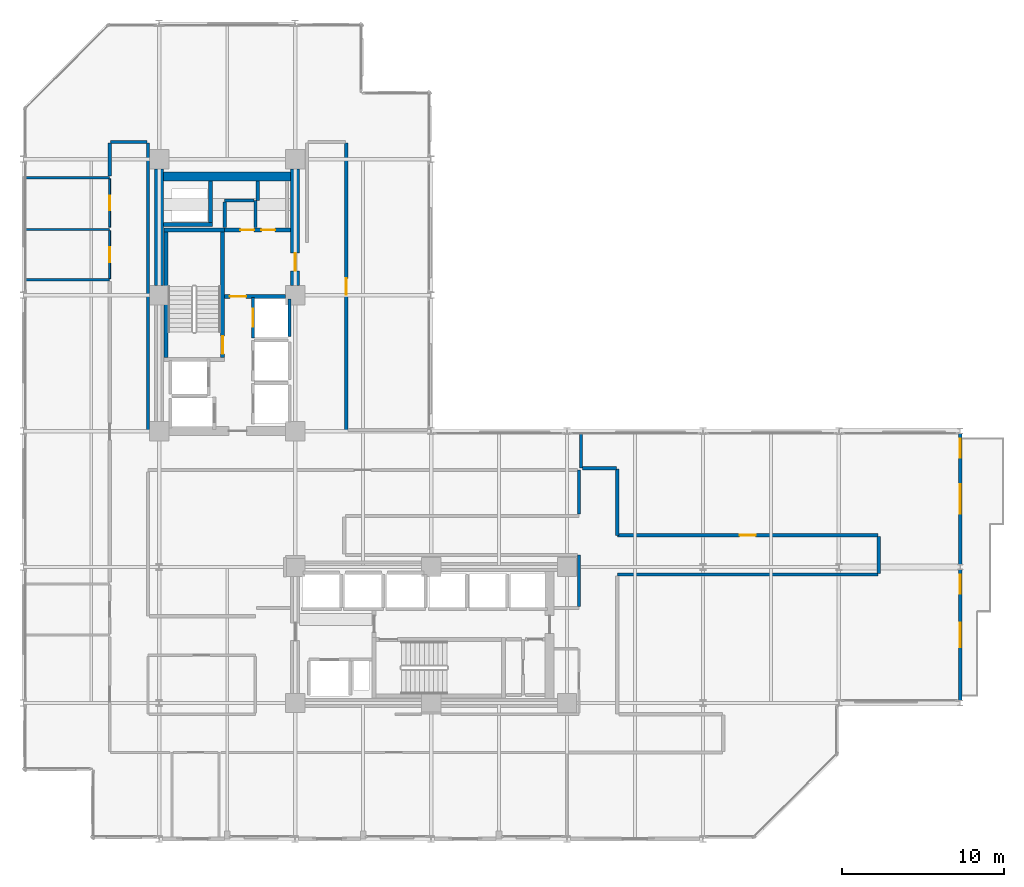
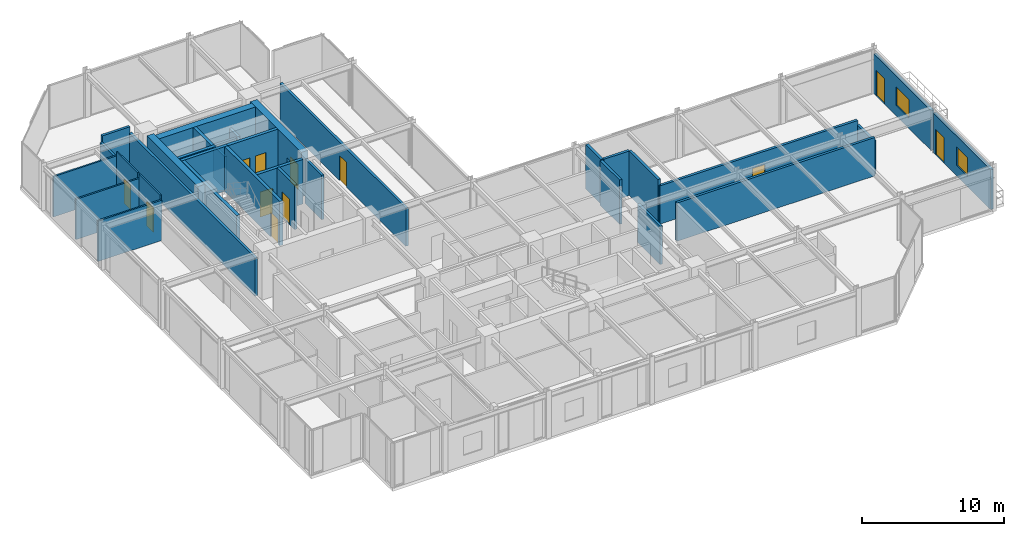
# One storey, part 34 of 38: 35 walls, 12 doors, 2 windows, 14 openings.
"""IFC4 building model written with IfcOpenShell, lengths in metres."""

from ifc_helpers import new_model, si_unit, direction, frame, frame_2d, origin, place, context, subcontext, project, spatial, rectangle, extrude, material, layer, layer_set, type_object, element, fill, save


model = new_model("IFC4")

# Units and contexts
model_context = context("Model", 3, precision=1e-05, world=origin(), true_north=direction((0.0, 1.0)))
body_context = subcontext(model_context, "Body", "Model", "MODEL_VIEW")
ifc_project = project(units=[si_unit("LENGTHUNIT", "METRE"), si_unit("AREAUNIT", "SQUARE_METRE"), si_unit("VOLUMEUNIT", "CUBIC_METRE"), si_unit("PLANEANGLEUNIT", "RADIAN"), si_unit("MASSUNIT", "GRAM", prefix="KILO")], contexts=[model_context])

# Site, building, storey
site_placement = place(None, origin())
site = spatial("IfcSite", under=ifc_project, at=site_placement, CompositionType="ELEMENT")
building_placement = place(site_placement, origin())
building = spatial("IfcBuilding", under=site, at=building_placement, Name="Nerrivon Quay Data Exchange", CompositionType="ELEMENT")
storey_placement = place(building_placement, frame((0.0, 0.0, 100.800048828125)))
storey = spatial("IfcBuildingStorey", under=building, at=storey_placement, Name="L23", CompositionType="ELEMENT", Elevation=100.800048828125)

# Wall, openings, door, window
ifc_material_1 = material(Name="Architectural terracotta precast concrete N50 (50 MPa)", Category="masonry")
ifc_layer_1 = layer(ifc_material_1, 0.239990234375)
ifc_layer_set_1 = layer_set([ifc_layer_1], Name="Architectural terracotta precast concrete N50 (50 MPa)")
wall_type_1 = type_object("IfcWallType", Name="EW-PREC-240", PredefinedType="STANDARD", material=ifc_layer_set_1)
wall_1_placement = place(storey_placement, frame((57.89990234375, 25.03662109375, 0.0), z_axis=(0.0, 0.0, 1.0), x_axis=(0.0, -1.0, 0.0)))
wall_1 = element("IfcWall", 1, at=wall_1_placement, inside=storey, type_object=wall_type_1, Name="L23 Terrace Host Wall 1", PredefinedType="STANDARD", context=body_context, shape_type="SweptSolid", body=[
    extrude(rectangle(XDim=8.0732421875, YDim=0.239990234375, at=frame_2d((4.03662109375, 0.0))), origin(), (0.0, 0.0, 1.0), 3.421875),
])
opening_1_placement = place(wall_1_placement, frame((0.300048828125, 0.0, 0.0)))
opening_1 = element("IfcOpeningElement", 2, at=opening_1_placement, cuts=wall_1, Name="Opening TD1", PredefinedType="OPENING", context=body_context, shape_type="SweptSolid", body=[
    extrude(rectangle(XDim=1.199951171875, YDim=2.199951171875, at=frame_2d((0.60009765625, 1.10009765625))), frame((0.0, 0.1298828125, 0.0), z_axis=(0.0, -1.0, 0.0), x_axis=(1.0, 0.0, 0.0)), (0.0, 0.0, 1.0), 0.260009765625),
])
opening_2_placement = place(wall_1_placement, frame((3.136474609375, 0.0, 0.89990234375)))
opening_2 = element("IfcOpeningElement", 3, at=opening_2_placement, cuts=wall_1, Name="Opening WN2", PredefinedType="OPENING", context=body_context, shape_type="SweptSolid", body=[
    extrude(rectangle(XDim=1.800048828125, YDim=1.60009765625, at=frame_2d((0.89990234375, 0.800048828125))), frame((0.0, 0.1298828125, 0.0), z_axis=(0.0, -1.0, 0.0), x_axis=(1.0, 0.0, 0.0)), (0.0, 0.0, 1.0), 0.260009765625),
])
ifc_material_2 = material(Name="Double-glazed low-E solar control glass", Category="glass")
door_type_1 = type_object("IfcDoorType", Name="DR-TERR-1200x2200", OperationType="NOTDEFINED", PredefinedType="DOOR", material=ifc_material_2)
door_1_placement = place(opening_1_placement, origin())
door_1 = element("IfcDoor", 4, at=door_1_placement, inside=storey, type_object=door_type_1, Name="L23 Outdoor Terrace Access Door 1", OperationType="SINGLE_SWING_RIGHT", OverallHeight=2.199951171875, OverallWidth=1.199951171875, PredefinedType="DOOR", context=body_context, shape_type="SweptSolid", body=[
    extrude(rectangle(XDim=1.199951171875, YDim=2.199951171875, at=frame_2d((0.60009765625, 1.10009765625))), frame((0.0, 0.02490234375, 0.0), z_axis=(0.0, -1.0, 0.0), x_axis=(1.0, 0.0, 0.0)), (0.0, 0.0, 1.0), 0.050048828125),
])
fill(opening_1, door_1)
window_type_1 = type_object("IfcWindowType", Name="WIN-W2-1800x1600", PartitioningType="SINGLE_PANEL", PredefinedType="WINDOW", material=ifc_material_2)
window_1_placement = place(opening_2_placement, origin())
window_1 = element("IfcWindow", 5, at=window_1_placement, inside=storey, type_object=window_type_1, Name="L23 Terrace Side Window 1", OverallHeight=1.60009765625, OverallWidth=1.800048828125, PartitioningType="SINGLE_PANEL", PredefinedType="WINDOW", context=body_context, shape_type="SweptSolid", body=[
    extrude(rectangle(XDim=1.800048828125, YDim=1.60009765625, at=frame_2d((0.89990234375, 0.800048828125))), frame((0.0, 0.030029296875, 0.0), z_axis=(0.0, -1.0, 0.0), x_axis=(1.0, 0.0, 0.0)), (0.0, 0.0, 1.0), 0.06005859375),
])
fill(opening_2, window_1)

wall_2_placement = place(storey_placement, frame((57.89990234375, 16.636474609375, 0.0), z_axis=(0.0, 0.0, 1.0), x_axis=(0.0, -1.0, 0.0)))
wall_2 = element("IfcWall", 6, at=wall_2_placement, inside=storey, type_object=wall_type_1, Name="L23 Terrace Host Wall 2", PredefinedType="STANDARD", context=body_context, shape_type="SweptSolid", body=[
    extrude(rectangle(XDim=8.072998046875, YDim=0.239990234375, at=frame_2d((4.03662109375, 0.0))), origin(), (0.0, 0.0, 1.0), 3.421875),
])
opening_3_placement = place(wall_2_placement, frame((0.300048828125, 0.0, 0.0)))
opening_3 = element("IfcOpeningElement", 7, at=opening_3_placement, cuts=wall_2, Name="Opening TD1", PredefinedType="OPENING", context=body_context, shape_type="SweptSolid", body=[
    extrude(rectangle(XDim=1.199951171875, YDim=2.199951171875, at=frame_2d((0.60009765625, 1.10009765625))), frame((0.0, 0.1298828125, 0.0), z_axis=(0.0, -1.0, 0.0), x_axis=(1.0, 0.0, 0.0)), (0.0, 0.0, 1.0), 0.260009765625),
])
opening_4_placement = place(wall_2_placement, frame((3.28662109375, 0.0, 0.89990234375)))
opening_4 = element("IfcOpeningElement", 8, at=opening_4_placement, cuts=wall_2, Name="Opening WN4", PredefinedType="OPENING", context=body_context, shape_type="SweptSolid", body=[
    extrude(rectangle(XDim=1.5, YDim=1.60009765625, at=frame_2d((0.75, 0.800048828125))), frame((0.0, 0.1298828125, 0.0), z_axis=(0.0, -1.0, 0.0), x_axis=(1.0, 0.0, 0.0)), (0.0, 0.0, 1.0), 0.260009765625),
])
door_2_placement = place(opening_3_placement, origin())
door_2 = element("IfcDoor", 9, at=door_2_placement, inside=storey, type_object=door_type_1, Name="L23 Outdoor Terrace Access Door 2", OperationType="SINGLE_SWING_LEFT", OverallHeight=2.199951171875, OverallWidth=1.199951171875, PredefinedType="DOOR", context=body_context, shape_type="SweptSolid", body=[
    extrude(rectangle(XDim=1.199951171875, YDim=2.199951171875, at=frame_2d((0.60009765625, 1.10009765625))), frame((0.0, 0.02490234375, 0.0), z_axis=(0.0, -1.0, 0.0), x_axis=(1.0, 0.0, 0.0)), (0.0, 0.0, 1.0), 0.050048828125),
])
fill(opening_3, door_2)
window_type_2 = type_object("IfcWindowType", Name="WIN-W4-1500x1600", PartitioningType="SINGLE_PANEL", PredefinedType="WINDOW", material=ifc_material_2)
window_2_placement = place(opening_4_placement, origin())
window_2 = element("IfcWindow", 10, at=window_2_placement, inside=storey, type_object=window_type_2, Name="L23 Terrace Side Window 2", OverallHeight=1.60009765625, OverallWidth=1.5, PartitioningType="SINGLE_PANEL", PredefinedType="WINDOW", context=body_context, shape_type="SweptSolid", body=[
    extrude(rectangle(XDim=1.5, YDim=1.60009765625, at=frame_2d((0.75, 0.800048828125))), frame((0.0, 0.030029296875, 0.0), z_axis=(0.0, -1.0, 0.0), x_axis=(1.0, 0.0, 0.0)), (0.0, 0.0, 1.0), 0.06005859375),
])
fill(opening_4, window_2)

# Walls
ifc_material_3 = material(Name="Concrete S65 (65 MPa)", Category="concrete")
ifc_layer_2 = layer(ifc_material_3, 0.550048828125)
ifc_layer_set_2 = layer_set([ifc_layer_2], Name="Concrete S65 (65 MPa)")
wall_type_2 = type_object("IfcWallType", Name="WALL-CW-700", PredefinedType="SHEAR", material=ifc_layer_set_2)
wall_3_placement = place(storey_placement, frame((8.39990234375, 34.199951171875, 0.0), z_axis=(0.0, 0.0, 1.0), x_axis=(0.0, 1.0, 0.0)))
element("IfcWall", 11, at=wall_3_placement, inside=storey, type_object=wall_type_2, Name="L23 West Split-Core Shear Wall WCW-W2", PredefinedType="SHEAR", context=body_context, shape_type="SweptSolid", body=[
    extrude(rectangle(XDim=7.199951171875, YDim=0.550048828125, at=frame_2d((3.60009765625, 0.0))), origin(), (0.0, 0.0, 1.0), 3.824951171875),
])
wall_4_placement = place(storey_placement, frame((8.675048828125, 40.925048828125, 0.0), z_axis=(0.0, 0.0, 1.0), x_axis=(1.0, 0.0, 0.0)))
element("IfcWall", 12, at=wall_4_placement, inside=storey, type_object=wall_type_2, Name="L23 West Split-Core Shear Wall WCW-N1", PredefinedType="SHEAR", context=body_context, shape_type="SweptSolid", body=[
    extrude(rectangle(XDim=7.849853515625, YDim=0.550048828125, at=frame_2d((3.9248046875, 0.0))), origin(), (0.0, 0.0, 1.0), 3.824951171875),
])

# Wall, opening, door
wall_5_placement = place(storey_placement, frame((16.800048828125, 34.199951171875, 0.0), z_axis=(0.0, 0.0, 1.0), x_axis=(0.0, 1.0, 0.0)))
wall_5 = element("IfcWall", 13, at=wall_5_placement, inside=storey, type_object=wall_type_2, Name="L23 West Split-Core Shear Wall WCW-E1", PredefinedType="SHEAR", context=body_context, shape_type="SweptSolid", body=[
    extrude(rectangle(XDim=7.199951171875, YDim=0.550048828125, at=frame_2d((3.60009765625, 0.0))), origin(), (0.0, 0.0, 1.0), 3.824951171875),
])
opening_5_placement = place(wall_5_placement, frame((0.89990234375, 0.0, 0.0)))
opening_5 = element("IfcOpeningElement", 14, at=opening_5_placement, cuts=wall_5, Name="Opening FD-120", PredefinedType="OPENING", context=body_context, shape_type="SweptSolid", body=[
    extrude(rectangle(XDim=1.10009765625, YDim=2.14990234375, at=frame_2d((0.550048828125, 1.074951171875))), frame((0.0, 0.284912109375, 0.0), z_axis=(0.0, -1.0, 0.0), x_axis=(1.0, 0.0, 0.0)), (0.0, 0.0, 1.0), 0.570068359375),
])
ifc_material_4 = material(Name="Powder-coated galvanized steel sheet", Category="steel")
door_type_2 = type_object("IfcDoorType", Name="DR-FD120-1100", OperationType="NOTDEFINED", PredefinedType="DOOR", material=ifc_material_4)
door_3_placement = place(opening_5_placement, origin())
door_3 = element("IfcDoor", 15, at=door_3_placement, inside=storey, type_object=door_type_2, Name="L23 West Core Lobby Fire Door", OperationType="SINGLE_SWING_LEFT", OverallHeight=2.14990234375, OverallWidth=1.10009765625, PredefinedType="DOOR", context=body_context, shape_type="SweptSolid", body=[
    extrude(rectangle(XDim=1.10009765625, YDim=2.14990234375, at=frame_2d((0.550048828125, 1.074951171875))), frame((0.0, 0.02490234375, 0.0), z_axis=(0.0, -1.0, 0.0), x_axis=(1.0, 0.0, 0.0)), (0.0, 0.0, 1.0), 0.050048828125),
])
fill(opening_5, door_3)

ifc_material_5 = material(Name="Gypsum plasterboard on cold-formed framing", Category="gypsum")
ifc_layer_3 = layer(ifc_material_5, 0.199951171875)
ifc_layer_set_3 = layer_set([ifc_layer_3], Name="Gypsum plasterboard on cold-formed framing")
wall_type_3 = type_object("IfcWallType", Name="WALL-FW-200", PredefinedType="PARTITIONING", material=ifc_layer_set_3)
wall_6_placement = place(storey_placement, frame((14.199951171875, 30.949951171875, 0.0), z_axis=(0.0, 0.0, 1.0), x_axis=(0.0, 1.0, 0.0)))
wall_6 = element("IfcWall", 16, at=wall_6_placement, inside=storey, type_object=wall_type_3, Name="L23 Lift Front Wall PL3", PredefinedType="PARTITIONING", context=body_context, shape_type="SweptSolid", body=[
    extrude(rectangle(XDim=2.5, YDim=0.199951171875, at=frame_2d((1.25, 0.0))), origin(), (0.0, 0.0, 1.0), 3.824951171875),
])
opening_6_placement = place(wall_6_placement, frame((0.699951171875, 0.0, 0.0)))
opening_6 = element("IfcOpeningElement", 17, at=opening_6_placement, cuts=wall_6, Name="Opening LD-120", PredefinedType="OPENING", context=body_context, shape_type="SweptSolid", body=[
    extrude(rectangle(XDim=1.10009765625, YDim=2.199951171875, at=frame_2d((0.550048828125, 1.10009765625))), frame((0.0, 0.10986328125, 0.0), z_axis=(0.0, -1.0, 0.0), x_axis=(1.0, 0.0, 0.0)), (0.0, 0.0, 1.0), 0.219970703125),
])
door_type_3 = type_object("IfcDoorType", Name="DR-LIFT-LD120", OperationType="DOUBLE_DOOR_SLIDING", PredefinedType="DOOR", material=ifc_material_4)
door_4_placement = place(opening_6_placement, origin())
door_4 = element("IfcDoor", 18, at=door_4_placement, inside=storey, type_object=door_type_3, Name="L23 Lift Landing Sliding Door PL3", OperationType="DOUBLE_DOOR_SLIDING", OverallHeight=2.199951171875, OverallWidth=1.10009765625, PredefinedType="DOOR", context=body_context, shape_type="SweptSolid", body=[
    extrude(rectangle(XDim=1.10009765625, YDim=2.199951171875, at=frame_2d((0.550048828125, 1.10009765625))), frame((0.0, 0.02490234375, 0.0), z_axis=(0.0, -1.0, 0.0), x_axis=(1.0, 0.0, 0.0)), (0.0, 0.0, 1.0), 0.050048828125),
])
fill(opening_6, door_4)

# Walls
wall_7_placement = place(storey_placement, frame((16.449951171875, 31.050048828125, 0.0), z_axis=(0.0, 0.0, 1.0), x_axis=(0.0, 1.0, 0.0)))
element("IfcWall", 19, at=wall_7_placement, inside=storey, type_object=wall_type_3, Name="L23 Lift Shaft Wall PL3 EAST", PredefinedType="PARTITIONING", context=body_context, shape_type="SweptSolid", body=[
    extrude(rectangle(XDim=2.300048828125, YDim=0.199951171875, at=frame_2d((1.14990234375, 0.0))), origin(), (0.0, 0.0, 1.0), 3.824951171875),
])
wall_8_placement = place(storey_placement, frame((14.35009765625, 37.780029296875, 0.0), z_axis=(0.0, 0.0, 1.0), x_axis=(0.0, 1.0, 0.0)))
element("IfcWall", 20, at=wall_8_placement, inside=storey, type_object=wall_type_3, Name="L23 Partition Equipment Store", PredefinedType="PARTITIONING", context=body_context, shape_type="SweptSolid", body=[
    extrude(rectangle(XDim=1.669921875, YDim=0.199951171875, at=frame_2d((0.8349609375, 0.0))), origin(), (0.0, 0.0, 1.0), 2.724853515625),
])
wall_9_placement = place(storey_placement, frame((14.24609375, 39.449951171875, 0.0), z_axis=(0.0, 0.0, 1.0), x_axis=(-1.0, 0.0, 0.0)))
element("IfcWall", 21, at=wall_9_placement, inside=storey, type_object=wall_type_3, Name="L23 Partition Equipment Store", PredefinedType="PARTITIONING", context=body_context, shape_type="SweptSolid", body=[
    extrude(rectangle(XDim=1.796142578125, YDim=0.199951171875, at=frame_2d((0.89794921875, 0.0))), origin(), (0.0, 0.0, 1.0), 2.724853515625),
])
wall_10_placement = place(storey_placement, frame((12.449951171875, 39.345947265625, 0.0), z_axis=(0.0, 0.0, 1.0), x_axis=(0.0, -1.0, 0.0)))
element("IfcWall", 22, at=wall_10_placement, inside=storey, type_object=wall_type_3, Name="L23 Partition Equipment Store", PredefinedType="PARTITIONING", context=body_context, shape_type="SweptSolid", body=[
    extrude(rectangle(XDim=1.56591796875, YDim=0.199951171875, at=frame_2d((0.782958984375, 0.0))), origin(), (0.0, 0.0, 1.0), 2.724853515625),
])
wall_11_placement = place(storey_placement, frame((14.489990234375, 40.64599609375, 0.0), z_axis=(0.0, 0.0, 1.0), x_axis=(0.0, -1.0, 0.0)))
element("IfcWall", 23, at=wall_11_placement, inside=storey, type_object=wall_type_3, Name="L23 Partition Cleaners Store", PredefinedType="PARTITIONING", context=body_context, shape_type="SweptSolid", body=[
    extrude(rectangle(XDim=1.196044921875, YDim=0.199951171875, at=frame_2d((0.59814453125, 0.0))), origin(), (0.0, 0.0, 1.0), 2.724853515625),
])
wall_12_placement = place(storey_placement, frame((34.340087890625, 14.364013671875, 0.0), z_axis=(0.0, 0.0, 1.0), x_axis=(0.0, 1.0, 0.0)))
element("IfcWall", 24, at=wall_12_placement, inside=storey, type_object=wall_type_3, Name="L23 Partition Colocation Data Workspace 6", PredefinedType="PARTITIONING", context=body_context, shape_type="SweptSolid", body=[
    extrude(rectangle(XDim=3.176025390625, YDim=0.199951171875, at=frame_2d((1.587890625, 0.0))), origin(), (0.0, 0.0, 1.0), 3.2919921875),
])
wall_13_placement = place(storey_placement, frame((34.340087890625, 20.06396484375, 0.0), z_axis=(0.0, 0.0, 1.0), x_axis=(0.0, 1.0, 0.0)))
element("IfcWall", 25, at=wall_13_placement, inside=storey, type_object=wall_type_3, Name="L23 Partition Colocation Data Workspace 6", PredefinedType="PARTITIONING", context=body_context, shape_type="SweptSolid", body=[
    extrude(rectangle(XDim=2.72607421875, YDim=0.199951171875, at=frame_2d((1.363037109375, 0.0))), origin(), (0.0, 0.0, 1.0), 3.824951171875),
])
wall_14_placement = place(storey_placement, frame((5.340087890625, 40.969970703125, 0.0), z_axis=(0.0, 0.0, 1.0), x_axis=(0.0, 1.0, 0.0)))
element("IfcWall", 26, at=wall_14_placement, inside=storey, type_object=wall_type_3, Name="L23 Partition Colocation Data Workspace 7", PredefinedType="PARTITIONING", context=body_context, shape_type="SweptSolid", body=[
    extrude(rectangle(XDim=2.030029296875, YDim=0.199951171875, at=frame_2d((1.01513671875, 0.0))), origin(), (0.0, 0.0, 1.0), 3.2919921875),
])
wall_15_placement = place(storey_placement, frame((5.39990234375, 43.06005859375, 0.0), z_axis=(0.0, 0.0, 1.0), x_axis=(1.0, 0.0, 0.0)))
element("IfcWall", 27, at=wall_15_placement, inside=storey, type_object=wall_type_3, Name="L23 Partition Colocation Data Workspace 7", PredefinedType="PARTITIONING", context=body_context, shape_type="SweptSolid", body=[
    extrude(rectangle(XDim=2.25, YDim=0.199951171875, at=frame_2d((1.125, 0.0))), origin(), (0.0, 0.0, 1.0), 3.824951171875),
])
wall_16_placement = place(storey_placement, frame((7.7099609375, 43.0, 0.0), z_axis=(0.0, 0.0, 1.0), x_axis=(0.0, -1.0, 0.0)))
element("IfcWall", 28, at=wall_16_placement, inside=storey, type_object=wall_type_3, Name="L23 Partition Colocation Data Workspace 7", PredefinedType="PARTITIONING", context=body_context, shape_type="SweptSolid", body=[
    extrude(rectangle(XDim=17.739990234375, YDim=0.199951171875, at=frame_2d((8.8701171875, 0.0))), origin(), (0.0, 0.0, 1.0), 3.2919921875),
])

# Wall, opening, door
wall_17_placement = place(storey_placement, frame((19.9599609375, 43.0, 0.0), z_axis=(0.0, 0.0, 1.0), x_axis=(0.0, -1.0, 0.0)))
wall_17 = element("IfcWall", 29, at=wall_17_placement, inside=storey, type_object=wall_type_3, Name="L23 Partition Colocation Data Workspace 7", PredefinedType="PARTITIONING", context=body_context, shape_type="SweptSolid", body=[
    extrude(rectangle(XDim=17.739990234375, YDim=0.199951171875, at=frame_2d((8.8701171875, 0.0))), origin(), (0.0, 0.0, 1.0), 3.2919921875),
])
opening_7_placement = place(wall_17_placement, frame((8.3701171875, 0.0, 0.0)))
opening_7 = element("IfcOpeningElement", 30, at=opening_7_placement, cuts=wall_17, Name="Opening FD-60", PredefinedType="OPENING", context=body_context, shape_type="SweptSolid", body=[
    extrude(rectangle(XDim=1.0, YDim=2.14990234375, at=frame_2d((0.5, 1.074951171875))), frame((0.0, 0.10986328125, 0.0), z_axis=(0.0, -1.0, 0.0), x_axis=(1.0, 0.0, 0.0)), (0.0, 0.0, 1.0), 0.219970703125),
])
ifc_material_6 = material(Name="Engineered hardwood timber", Category="wood")
door_type_4 = type_object("IfcDoorType", Name="DR-FD60-1000", OperationType="NOTDEFINED", PredefinedType="DOOR", material=ifc_material_6)
door_5_placement = place(opening_7_placement, origin())
door_5 = element("IfcDoor", 31, at=door_5_placement, inside=storey, type_object=door_type_4, Name="L23 Door Colocation Data Workspace 7", OperationType="SINGLE_SWING_LEFT", OverallHeight=2.14990234375, OverallWidth=1.0, PredefinedType="DOOR", context=body_context, shape_type="SweptSolid", body=[
    extrude(rectangle(XDim=1.0, YDim=2.14990234375, at=frame_2d((0.5, 1.074951171875))), frame((0.0, 0.02490234375, 0.0), z_axis=(0.0, -1.0, 0.0), x_axis=(1.0, 0.0, 0.0)), (0.0, 0.0, 1.0), 0.050048828125),
])
fill(opening_7, door_5)

# Walls
wall_18_placement = place(storey_placement, frame((34.4599609375, 25.031005859375, 0.0), z_axis=(0.0, 0.0, 1.0), x_axis=(0.0, -1.0, 0.0)))
element("IfcWall", 32, at=wall_18_placement, inside=storey, type_object=wall_type_3, Name="L23 Partition Colocation Data Workspace 8", PredefinedType="PARTITIONING", context=body_context, shape_type="SweptSolid", body=[
    extrude(rectangle(XDim=2.12109375, YDim=0.199951171875, at=frame_2d((1.060546875, 0.0))), origin(), (0.0, 0.0, 1.0), 3.824951171875),
])
wall_19_placement = place(storey_placement, frame((34.56396484375, 22.909912109375, 0.0), z_axis=(0.0, 0.0, 1.0), x_axis=(1.0, 0.0, 0.0)))
element("IfcWall", 33, at=wall_19_placement, inside=storey, type_object=wall_type_3, Name="L23 Partition Colocation Data Workspace 8", PredefinedType="PARTITIONING", context=body_context, shape_type="SweptSolid", body=[
    extrude(rectangle(XDim=2.0859375, YDim=0.199951171875, at=frame_2d((1.04296875, 0.0))), origin(), (0.0, 0.0, 1.0), 3.824951171875),
])
wall_20_placement = place(storey_placement, frame((36.7099609375, 22.85009765625, 0.0), z_axis=(0.0, 0.0, 1.0), x_axis=(0.0, -1.0, 0.0)))
element("IfcWall", 34, at=wall_20_placement, inside=storey, type_object=wall_type_3, Name="L23 Partition Colocation Data Workspace 8", PredefinedType="PARTITIONING", context=body_context, shape_type="SweptSolid", body=[
    extrude(rectangle(XDim=4.090087890625, YDim=0.199951171875, at=frame_2d((2.044921875, 0.0))), origin(), (0.0, 0.0, 1.0), 3.824951171875),
])

# Wall, opening, door
wall_21_placement = place(storey_placement, frame((36.7099609375, 18.760009765625, 0.0), z_axis=(0.0, 0.0, 1.0), x_axis=(0.999999999885, -1.5167832e-05, 0.0)))
wall_21 = element("IfcWall", 35, at=wall_21_placement, inside=storey, type_object=wall_type_3, Name="L23 Partition Colocation Data Workspace 8", PredefinedType="PARTITIONING", context=body_context, shape_type="SweptSolid", body=[
    extrude(rectangle(XDim=16.095947265625, YDim=0.199951171875, at=frame_2d((8.0478515625, 0.0))), origin(), (0.0, 0.0, 1.0), 3.296875),
])
opening_8_placement = place(wall_21_placement, frame((7.548095703125, 0.0, 0.0)))
opening_8 = element("IfcOpeningElement", 36, at=opening_8_placement, cuts=wall_21, Name="Opening FD-60", PredefinedType="OPENING", context=body_context, shape_type="SweptSolid", body=[
    extrude(rectangle(XDim=1.0, YDim=2.14990234375, at=frame_2d((0.5, 1.074951171875))), frame((0.0, 0.10986328125, 0.0), z_axis=(0.0, -1.0, 0.0), x_axis=(1.0, 0.0, 0.0)), (0.0, 0.0, 1.0), 0.219970703125),
])
door_6_placement = place(opening_8_placement, origin())
door_6 = element("IfcDoor", 37, at=door_6_placement, inside=storey, type_object=door_type_4, Name="L23 Door Colocation Data Workspace 8", OperationType="SINGLE_SWING_RIGHT", OverallHeight=2.14990234375, OverallWidth=1.0, PredefinedType="DOOR", context=body_context, shape_type="SweptSolid", body=[
    extrude(rectangle(XDim=1.0, YDim=2.14990234375, at=frame_2d((0.5, 1.074951171875))), frame((0.0, 0.02490234375, 0.0), z_axis=(0.0, -1.0, 0.0), x_axis=(1.0, 0.0, 0.0)), (0.0, 0.0, 1.0), 0.050048828125),
])
fill(opening_8, door_6)

# Walls
wall_22_placement = place(storey_placement, frame((52.860107421875, 18.699951171875, 0.0), z_axis=(0.0, 0.0, 1.0), x_axis=(0.0, -1.0, 0.0)))
element("IfcWall", 38, at=wall_22_placement, inside=storey, type_object=wall_type_3, Name="L23 Partition Colocation Data Workspace 8", PredefinedType="PARTITIONING", context=body_context, shape_type="SweptSolid", body=[
    extrude(rectangle(XDim=2.300048828125, YDim=0.199951171875, at=frame_2d((1.14990234375, 0.0))), origin(), (0.0, 0.0, 1.0), 2.9150390625),
])
wall_23_placement = place(storey_placement, frame((52.800048828125, 16.340087890625, 0.0), z_axis=(0.0, 0.0, 1.0), x_axis=(-1.0, 0.0, 0.0)))
element("IfcWall", 39, at=wall_23_placement, inside=storey, type_object=wall_type_3, Name="L23 Partition Colocation Data Workspace 8", PredefinedType="PARTITIONING", context=body_context, shape_type="SweptSolid", body=[
    extrude(rectangle(XDim=16.090087890625, YDim=0.199951171875, at=frame_2d((8.044921875, 0.0))), origin(), (0.0, 0.0, 1.0), 3.296875),
])

# Wall, opening, door
ifc_layer_4 = layer(ifc_material_5, 0.1201171875)
ifc_layer_set_4 = layer_set([ifc_layer_4], Name="Gypsum plasterboard on cold-formed framing")
wall_type_4 = type_object("IfcWallType", Name="WALL-PT-120", PredefinedType="PARTITIONING", material=ifc_layer_set_4)
wall_24_placement = place(storey_placement, frame((5.340087890625, 34.62158203125, 0.0), z_axis=(0.0, 0.0, 1.0), x_axis=(0.0, 1.0, 0.0)))
wall_24 = element("IfcWall", 40, at=wall_24_placement, inside=storey, type_object=wall_type_4, Name="L23 Partition Public Washrooms", PredefinedType="PARTITIONING", context=body_context, shape_type="SweptSolid", body=[
    extrude(rectangle(XDim=2.95703125, YDim=0.1201171875, at=frame_2d((1.478515625, 0.0))), origin(), (0.0, 0.0, 1.0), 3.824951171875),
])
opening_9_placement = place(wall_24_placement, frame((1.0185546875, 0.0, 0.0)))
opening_9 = element("IfcOpeningElement", 41, at=opening_9_placement, cuts=wall_24, Name="Opening D-WC", PredefinedType="OPENING", context=body_context, shape_type="SweptSolid", body=[
    extrude(rectangle(XDim=0.919921875, YDim=2.10009765625, at=frame_2d((0.4599609375, 1.050048828125))), frame((0.0, 0.070068359375, 0.0), z_axis=(0.0, -1.0, 0.0), x_axis=(1.0, 0.0, 0.0)), (0.0, 0.0, 1.0), 0.14013671875),
])
door_type_5 = type_object("IfcDoorType", Name="DR-WC-920", OperationType="NOTDEFINED", PredefinedType="DOOR", material=ifc_material_6)
door_7_placement = place(opening_9_placement, origin())
door_7 = element("IfcDoor", 42, at=door_7_placement, inside=storey, type_object=door_type_5, Name="L23 Door Public Washrooms", OperationType="SINGLE_SWING_RIGHT", OverallHeight=2.10009765625, OverallWidth=0.919921875, PredefinedType="DOOR", context=body_context, shape_type="SweptSolid", body=[
    extrude(rectangle(XDim=0.919921875, YDim=2.10009765625, at=frame_2d((0.4599609375, 1.050048828125))), frame((0.0, 0.02490234375, 0.0), z_axis=(0.0, -1.0, 0.0), x_axis=(1.0, 0.0, 0.0)), (0.0, 0.0, 1.0), 0.050048828125),
])
fill(opening_9, door_7)

wall_25_placement = place(storey_placement, frame((5.340087890625, 37.800048828125, 0.0), z_axis=(0.0, 0.0, 1.0), x_axis=(0.0, 1.0, 0.0)))
wall_25 = element("IfcWall", 43, at=wall_25_placement, inside=storey, type_object=wall_type_4, Name="L23 Partition Staff Shower Block", PredefinedType="PARTITIONING", context=body_context, shape_type="SweptSolid", body=[
    extrude(rectangle(XDim=2.978515625, YDim=0.1201171875, at=frame_2d((1.4892578125, 0.0))), origin(), (0.0, 0.0, 1.0), 3.824951171875),
])
opening_10_placement = place(wall_25_placement, frame((1.029296875, 0.0, 0.0)))
opening_10 = element("IfcOpeningElement", 44, at=opening_10_placement, cuts=wall_25, Name="Opening D-WC", PredefinedType="OPENING", context=body_context, shape_type="SweptSolid", body=[
    extrude(rectangle(XDim=0.919921875, YDim=2.10009765625, at=frame_2d((0.4599609375, 1.050048828125))), frame((0.0, 0.070068359375, 0.0), z_axis=(0.0, -1.0, 0.0), x_axis=(1.0, 0.0, 0.0)), (0.0, 0.0, 1.0), 0.14013671875),
])
door_8_placement = place(opening_10_placement, origin())
door_8 = element("IfcDoor", 45, at=door_8_placement, inside=storey, type_object=door_type_5, Name="L23 Door Staff Shower Block", OperationType="SINGLE_SWING_LEFT", OverallHeight=2.10009765625, OverallWidth=0.919921875, PredefinedType="DOOR", context=body_context, shape_type="SweptSolid", body=[
    extrude(rectangle(XDim=0.919921875, YDim=2.10009765625, at=frame_2d((0.4599609375, 1.050048828125))), frame((0.0, 0.02490234375, 0.0), z_axis=(0.0, -1.0, 0.0), x_axis=(1.0, 0.0, 0.0)), (0.0, 0.0, 1.0), 0.050048828125),
])
fill(opening_10, door_8)

# Walls
ifc_layer_5 = layer(ifc_material_5, 0.135009765625)
ifc_layer_set_5 = layer_set([ifc_layer_5], Name="Gypsum plasterboard on cold-formed framing")
wall_type_5 = type_object("IfcWallType", Name="WALL-PT-135", PredefinedType="PARTITIONING", material=ifc_layer_set_5)
for number, where, z_axis, x_axis, name in (
    (46, (5.340087890625, 37.64990234375, 0.0), (0.0, 0.0, 1.0), (-1.0, 0.0, 0.0), "L23 Partition Public Washrooms"),
    (47, (0.1689453125, 34.550048828125, 0.0), (0.0, 0.0, 1.0), (1.0, 0.0, 0.0), "L23 Partition Public Washrooms"),
    (48, (5.340087890625, 40.85009765625, 0.0), (0.0, 0.0, 1.0), (-1.0, 0.0, 0.0), "L23 Partition Staff Shower Block"),
):
    element("IfcWall", number, at=place(storey_placement, frame(where, z_axis=z_axis, x_axis=x_axis)), inside=storey, type_object=wall_type_5, Name=name, PredefinedType="PARTITIONING", context=body_context, shape_type="SweptSolid", body=[
        extrude(rectangle(XDim=5.171142578125, YDim=0.135009765625, at=frame_2d((2.58544921875, 0.0))), origin(), (0.0, 0.0, 1.0), 3.468994140625),
    ])
ifc_material_7 = material(Name="Concrete N50 (50 MPa)", Category="concrete")
ifc_layer_6 = layer(ifc_material_7, 0.25)
ifc_layer_set_6 = layer_set([ifc_layer_6], Name="Concrete N50 (50 MPa)")
wall_type_6 = type_object("IfcWallType", Name="WALL-SW-250", PredefinedType="SHEAR", material=ifc_layer_set_6)
wall_26_placement = place(storey_placement, frame((12.449951171875, 37.625, 0.0), z_axis=(0.0, 0.0, 1.0), x_axis=(-1.0, 0.0, 0.0)))
element("IfcWall", 49, at=wall_26_placement, inside=storey, type_object=wall_type_6, Name="L23 ST01 Structural Stair Core Wall FAR", PredefinedType="SHEAR", context=body_context, shape_type="SweptSolid", body=[
    extrude(rectangle(XDim=3.75, YDim=0.25, at=frame_2d((1.875, 0.0))), origin(), (0.0, 0.0, 1.0), 3.824951171875),
])

# Wall, opening, door
wall_27_placement = place(storey_placement, frame((12.324951171875, 29.75, 0.0), z_axis=(0.0, 0.0, 1.0), x_axis=(0.0, 1.0, 0.0)))
wall_27 = element("IfcWall", 50, at=wall_27_placement, inside=storey, type_object=wall_type_6, Name="L23 ST01 Structural Stair Core Wall LEFT", PredefinedType="SHEAR", context=body_context, shape_type="SweptSolid", body=[
    extrude(rectangle(XDim=7.75, YDim=0.25, at=frame_2d((3.875, 0.0))), origin(), (0.0, 0.0, 1.0), 3.824951171875),
])
opening_11_placement = place(wall_27_placement, frame((0.219970703125, 0.0, 0.0)))
opening_11 = element("IfcOpeningElement", 51, at=opening_11_placement, cuts=wall_27, Name="Opening FD-120", PredefinedType="OPENING", context=body_context, shape_type="SweptSolid", body=[
    extrude(rectangle(XDim=1.10009765625, YDim=2.14990234375, at=frame_2d((0.550048828125, 1.074951171875))), frame((0.0, 0.135009765625, 0.0), z_axis=(0.0, -1.0, 0.0), x_axis=(1.0, 0.0, 0.0)), (0.0, 0.0, 1.0), 0.27001953125),
])
door_9_placement = place(opening_11_placement, origin())
door_9 = element("IfcDoor", 52, at=door_9_placement, inside=storey, type_object=door_type_2, Name="L23 Protected Stair Door ST01", OperationType="SINGLE_SWING_LEFT", OverallHeight=2.14990234375, OverallWidth=1.10009765625, PredefinedType="DOOR", context=body_context, shape_type="SweptSolid", body=[
    extrude(rectangle(XDim=1.10009765625, YDim=2.14990234375, at=frame_2d((0.550048828125, 1.074951171875))), frame((0.0, 0.02490234375, 0.0), z_axis=(0.0, -1.0, 0.0), x_axis=(1.0, 0.0, 0.0)), (0.0, 0.0, 1.0), 0.050048828125),
])
fill(opening_11, door_9)

# Walls
wall_28_placement = place(storey_placement, frame((8.824951171875, 29.75, 0.0), z_axis=(0.0, 0.0, 1.0), x_axis=(0.0, 1.0, 0.0)))
element("IfcWall", 53, at=wall_28_placement, inside=storey, type_object=wall_type_6, Name="L23 ST01 Structural Stair Core Wall RIGHT", PredefinedType="SHEAR", context=body_context, shape_type="SweptSolid", body=[
    extrude(rectangle(XDim=7.75, YDim=0.25, at=frame_2d((3.875, 0.0))), origin(), (0.0, 0.0, 1.0), 3.824951171875),
])
wall_29_placement = place(storey_placement, frame((8.675048828125, 37.97509765625, 0.0), z_axis=(0.0, 0.0, 1.0), x_axis=(1.0, 0.0, 0.0)))
element("IfcWall", 54, at=wall_29_placement, inside=storey, type_object=wall_type_6, Name="L23 West Core MEP Riser Shaft Wall S", PredefinedType="SHEAR", context=body_context, shape_type="SweptSolid", body=[
    extrude(rectangle(XDim=3.02490234375, YDim=0.25, at=frame_2d((1.512451171875, 0.0))), origin(), (0.0, 0.0, 1.0), 3.824951171875),
])
wall_30_placement = place(storey_placement, frame((11.574951171875, 38.10009765625, 0.0), z_axis=(0.0, 0.0, 1.0), x_axis=(0.0, 1.0, 0.0)))
element("IfcWall", 55, at=wall_30_placement, inside=storey, type_object=wall_type_6, Name="L23 West Core MEP Riser Shaft Wall E", PredefinedType="SHEAR", context=body_context, shape_type="SweptSolid", body=[
    extrude(rectangle(XDim=2.5498046875, YDim=0.25, at=frame_2d((1.27490234375, 0.0))), origin(), (0.0, 0.0, 1.0), 3.824951171875),
])

# Wall, opening, door
wall_31_placement = place(storey_placement, frame((12.449951171875, 33.52001953125, 0.0), z_axis=(0.0, 0.0, 1.0), x_axis=(1.0, 0.0, 0.0)))
wall_31 = element("IfcWall", 56, at=wall_31_placement, inside=storey, type_object=wall_type_6, Name="L23 West Lobby Smoke-Stop Wall", PredefinedType="SHEAR", context=body_context, shape_type="SweptSolid", body=[
    extrude(rectangle(XDim=3.75, YDim=0.25, at=frame_2d((1.875, 0.0))), origin(), (0.0, 0.0, 1.0), 3.824951171875),
])
opening_12_placement = place(wall_31_placement, frame((0.320068359375, 0.0, 0.0)))
opening_12 = element("IfcOpeningElement", 57, at=opening_12_placement, cuts=wall_31, Name="Opening FD-60", PredefinedType="OPENING", context=body_context, shape_type="SweptSolid", body=[
    extrude(rectangle(XDim=1.0, YDim=2.14990234375, at=frame_2d((0.5, 1.074951171875))), frame((0.0, 0.135009765625, 0.0), z_axis=(0.0, -1.0, 0.0), x_axis=(1.0, 0.0, 0.0)), (0.0, 0.0, 1.0), 0.27001953125),
])
door_10_placement = place(opening_12_placement, origin())
door_10 = element("IfcDoor", 58, at=door_10_placement, inside=storey, type_object=door_type_4, Name="L23 West Firefighting Lobby Fire Door", OperationType="SINGLE_SWING_LEFT", OverallHeight=2.14990234375, OverallWidth=1.0, PredefinedType="DOOR", context=body_context, shape_type="SweptSolid", body=[
    extrude(rectangle(XDim=1.0, YDim=2.14990234375, at=frame_2d((0.5, 1.074951171875))), frame((0.0, 0.02490234375, 0.0), z_axis=(0.0, -1.0, 0.0), x_axis=(1.0, 0.0, 0.0)), (0.0, 0.0, 1.0), 0.050048828125),
])
fill(opening_12, door_10)

# Wall, openings, doors
wall_32_placement = place(storey_placement, frame((12.449951171875, 37.625, 0.0), z_axis=(0.0, 0.0, 1.0), x_axis=(1.0, 0.0, 0.0)))
wall_32 = element("IfcWall", 59, at=wall_32_placement, inside=storey, type_object=wall_type_6, Name="L23 West Firefighting Lobby Wall", PredefinedType="SHEAR", context=body_context, shape_type="SweptSolid", body=[
    extrude(rectangle(XDim=4.074951171875, YDim=0.25, at=frame_2d((2.03759765625, 0.0))), origin(), (0.0, 0.0, 1.0), 3.824951171875),
])
opening_13_placement = place(wall_32_placement, frame((0.96044921875, 0.0, 0.0)))
opening_13 = element("IfcOpeningElement", 60, at=opening_13_placement, cuts=wall_32, Name="Opening FD-60S", PredefinedType="OPENING", context=body_context, shape_type="SweptSolid", body=[
    extrude(rectangle(XDim=0.85009765625, YDim=2.14990234375, at=frame_2d((0.425048828125, 1.074951171875))), frame((0.0, 0.135009765625, 0.0), z_axis=(0.0, -1.0, 0.0), x_axis=(1.0, 0.0, 0.0)), (0.0, 0.0, 1.0), 0.27001953125),
])
opening_14_placement = place(wall_32_placement, frame((2.264404296875, 0.0, 0.0)))
opening_14 = element("IfcOpeningElement", 61, at=opening_14_placement, cuts=wall_32, Name="Opening FD-60S", PredefinedType="OPENING", context=body_context, shape_type="SweptSolid", body=[
    extrude(rectangle(XDim=0.85009765625, YDim=2.14990234375, at=frame_2d((0.425048828125, 1.074951171875))), frame((0.0, 0.135009765625, 0.0), z_axis=(0.0, -1.0, 0.0), x_axis=(1.0, 0.0, 0.0)), (0.0, 0.0, 1.0), 0.27001953125),
])
door_type_6 = type_object("IfcDoorType", Name="DR-FD60-850", OperationType="NOTDEFINED", PredefinedType="DOOR", material=ifc_material_6)
door_11_placement = place(opening_13_placement, origin())
door_11 = element("IfcDoor", 62, at=door_11_placement, inside=storey, type_object=door_type_6, Name="L23 Door Equipment Store", OperationType="SINGLE_SWING_LEFT", OverallHeight=2.14990234375, OverallWidth=0.85009765625, PredefinedType="DOOR", context=body_context, shape_type="SweptSolid", body=[
    extrude(rectangle(XDim=0.85009765625, YDim=2.14990234375, at=frame_2d((0.425048828125, 1.074951171875))), frame((0.0, 0.02490234375, 0.0), z_axis=(0.0, -1.0, 0.0), x_axis=(1.0, 0.0, 0.0)), (0.0, 0.0, 1.0), 0.050048828125),
])
fill(opening_13, door_11)
door_12_placement = place(opening_14_placement, origin())
door_12 = element("IfcDoor", 63, at=door_12_placement, inside=storey, type_object=door_type_6, Name="L23 Door Cleaners Store", OperationType="SINGLE_SWING_RIGHT", OverallHeight=2.14990234375, OverallWidth=0.85009765625, PredefinedType="DOOR", context=body_context, shape_type="SweptSolid", body=[
    extrude(rectangle(XDim=0.85009765625, YDim=2.14990234375, at=frame_2d((0.425048828125, 1.074951171875))), frame((0.0, 0.02490234375, 0.0), z_axis=(0.0, -1.0, 0.0), x_axis=(1.0, 0.0, 0.0)), (0.0, 0.0, 1.0), 0.050048828125),
])
fill(opening_14, door_12)

save(model, "model.ifc")
